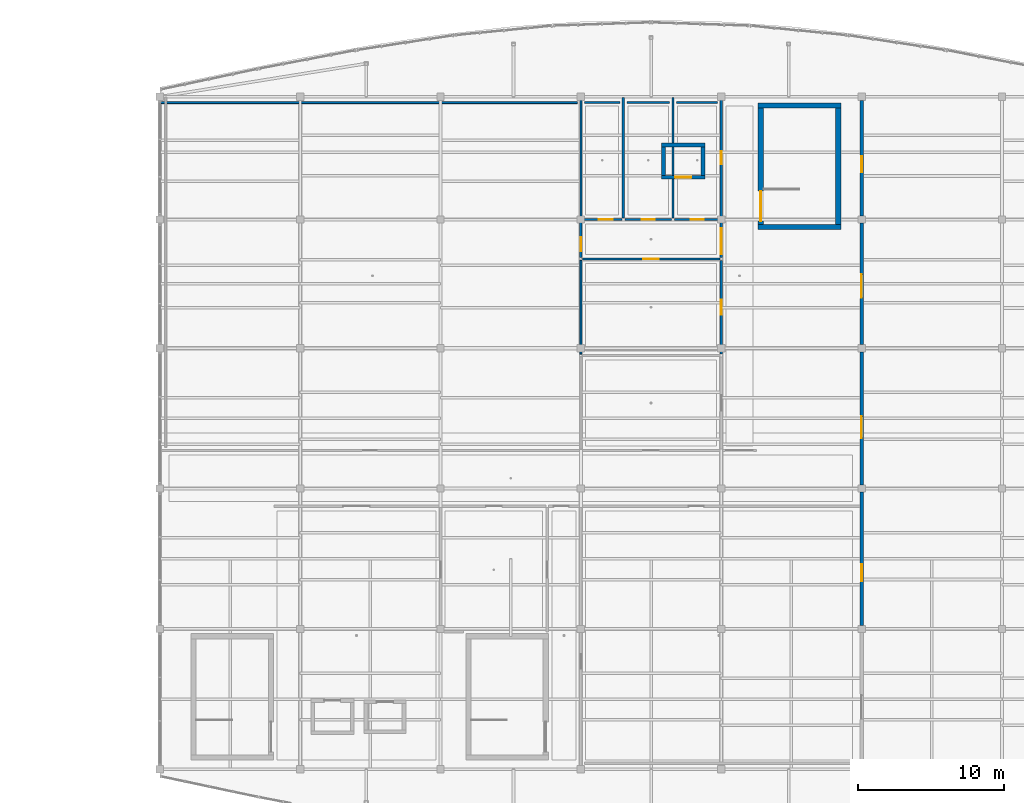
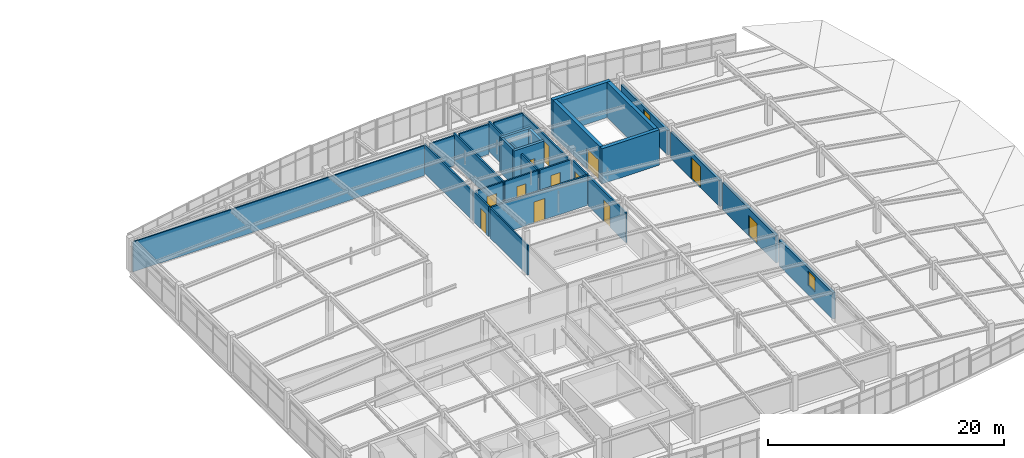
# One storey, part 61 of 65: 28 walls, 12 doors, 2 windows, 14 openings.
"""IFC4 building model written with IfcOpenShell, lengths in metres."""

from ifc_helpers import new_model, si_unit, direction, frame, frame_2d, origin, place, context, subcontext, project, spatial, rectangle, extrude, material, layer, layer_set, type_object, element, fill, save


model = new_model("IFC4")

# Units and contexts
model_context = context("Model", 3, precision=1e-05, world=origin(), true_north=direction((0.0, 1.0)))
body_context = subcontext(model_context, "Body", "Model", "MODEL_VIEW")
ifc_project = project(units=[si_unit("LENGTHUNIT", "METRE"), si_unit("AREAUNIT", "SQUARE_METRE"), si_unit("VOLUMEUNIT", "CUBIC_METRE"), si_unit("PLANEANGLEUNIT", "RADIAN"), si_unit("MASSUNIT", "GRAM", prefix="KILO")], contexts=[model_context])

# Site, building, storey
site_placement = place(None, origin())
site = spatial("IfcSite", under=ifc_project, at=site_placement, CompositionType="ELEMENT")
building_placement = place(site_placement, origin())
building = spatial("IfcBuilding", under=site, at=building_placement, Name="Chalmorin Arch Market", CompositionType="ELEMENT")
storey_placement = place(building_placement, frame((0.0, 0.0, 14.10009765625)))
storey = spatial("IfcBuildingStorey", under=building, at=storey_placement, Name="L03", CompositionType="ELEMENT", Elevation=14.10009765625)

# Walls
ifc_material_1 = material(Name="Concrete C40/50", Category="concrete")
ifc_layer_1 = layer(ifc_material_1, 0.35009765625)
ifc_layer_set_1 = layer_set([ifc_layer_1], Name="Concrete C40/50")
wall_type_1 = type_object("IfcWallType", Name="CoreShearWall-350", PredefinedType="SHEAR", material=ifc_layer_set_1)
for number, where, z_axis, x_axis, name in (
    (1, (94.574951171875, 109.10009765625, 0.0), (0.0, 0.0, 1.0), (-1.0, 0.0, 0.0), "CSW-350-101"),
    (2, (88.925048828125, 117.39990234375, 0.0), (0.0, 0.0, 1.0), (1.0, 0.0, 0.0), "CSW-350-102"),
):
    element("IfcWall", number, at=place(storey_placement, frame(where, z_axis=z_axis, x_axis=x_axis)), inside=storey, type_object=wall_type_1, Name=name, PredefinedType="SHEAR", context=body_context, shape_type="SweptSolid", body=[
        extrude(rectangle(XDim=5.64990234375, YDim=0.35009765625, at=frame_2d((2.824951171875, 0.0))), origin(), (0.0, 0.0, 1.0), 3.64990234375),
    ])

# Wall, opening, door
wall_1_placement = place(storey_placement, frame((89.10009765625, 109.27490234375, 0.0), z_axis=(0.0, 0.0, 1.0), x_axis=(0.0, 1.0, 0.0)))
wall_1 = element("IfcWall", 3, at=wall_1_placement, inside=storey, type_object=wall_type_1, Name="CSW-350-103", PredefinedType="SHEAR", context=body_context, shape_type="SweptSolid", body=[
    extrude(rectangle(XDim=7.9501953125, YDim=0.35009765625, at=frame_2d((3.97509765625, 0.0))), origin(), (0.0, 0.0, 1.0), 3.64990234375),
])
opening_1_placement = place(wall_1_placement, frame((0.219970703125, 0.0, 0.0)))
opening_1 = element("IfcOpeningElement", 4, at=opening_1_placement, cuts=wall_1, Name="Opening FD-SC6-L03", PredefinedType="OPENING", context=body_context, shape_type="SweptSolid", body=[
    extrude(rectangle(XDim=2.050048828125, YDim=2.14990234375, at=frame_2d((1.02490234375, 1.074951171875))), frame((0.0, 0.18505859375, 0.0), z_axis=(0.0, -1.0, 0.0), x_axis=(1.0, 0.0, 0.0)), (0.0, 0.0, 1.0), 0.3701171875),
])
ifc_material_2 = material(Name="Galvanised Steel", Category="steel")
door_type_1 = type_object("IfcDoorType", Name="DoubleFireExitDoor-2050x2150", OperationType="DOUBLE_DOOR_SINGLE_SWING", PredefinedType="DOOR", material=ifc_material_2)
door_1_placement = place(opening_1_placement, origin())
door_1 = element("IfcDoor", 5, at=door_1_placement, inside=storey, type_object=door_type_1, Name="FD-SC6-L03", OperationType="DOUBLE_DOOR_SINGLE_SWING", OverallHeight=2.14990234375, OverallWidth=2.050048828125, PredefinedType="DOOR", context=body_context, shape_type="SweptSolid", body=[
    extrude(rectangle(XDim=2.050048828125, YDim=2.14990234375, at=frame_2d((1.02490234375, 1.074951171875))), frame((0.0, 0.02490234375, 0.0), z_axis=(0.0, -1.0, 0.0), x_axis=(1.0, 0.0, 0.0)), (0.0, 0.0, 1.0), 0.050048828125),
])
fill(opening_1, door_1)

# Wall
wall_2_placement = place(storey_placement, frame((94.39990234375, 117.22509765625, 0.0), z_axis=(0.0, 0.0, 1.0), x_axis=(0.0, -1.0, 0.0)))
element("IfcWall", 6, at=wall_2_placement, inside=storey, type_object=wall_type_1, Name="CSW-350-104", PredefinedType="SHEAR", context=body_context, shape_type="SweptSolid", body=[
    extrude(rectangle(XDim=7.9501953125, YDim=0.35009765625, at=frame_2d((3.97509765625, 0.0))), origin(), (0.0, 0.0, 1.0), 3.64990234375),
])

# Wall, opening, door
ifc_material_3 = material(Name="Gypsum Board Partition")
ifc_layer_2 = layer(ifc_material_3, 0.159912109375)
ifc_layer_set_2 = layer_set([ifc_layer_2], Name="Gypsum Board Partition")
wall_type_2 = type_object("IfcWallType", Name="CorridorRatedPartition-160", PredefinedType="PARTITIONING", material=ifc_layer_set_2)
wall_3_placement = place(storey_placement, frame((86.39990234375, 100.39990234375, 0.0), z_axis=(0.0, 0.0, 1.0), x_axis=(0.0, 1.0, 0.0)))
wall_3 = element("IfcWall", 7, at=wall_3_placement, inside=storey, type_object=wall_type_2, Name="CRP-160-598", PredefinedType="PARTITIONING", context=body_context, shape_type="SweptSolid", body=[
    extrude(rectangle(XDim=6.400146484375, YDim=0.159912109375, at=frame_2d((3.2001953125, 0.0))), origin(), (0.0, 0.0, 1.0), 3.099853515625),
])
opening_2_placement = place(wall_3_placement, frame((2.679931640625, 0.0, 0.0)))
opening_2 = element("IfcOpeningElement", 8, at=opening_2_placement, cuts=wall_3, Name="Opening ID-206", PredefinedType="OPENING", context=body_context, shape_type="SweptSolid", body=[
    extrude(rectangle(XDim=1.0400390625, YDim=2.179931640625, at=frame_2d((0.52001953125, 1.08984375))), frame((0.0, 0.08984375, 0.0), z_axis=(0.0, -1.0, 0.0), x_axis=(1.0, 0.0, 0.0)), (0.0, 0.0, 1.0), 0.179931640625),
])
ifc_material_4 = material(Name="Oak Engineered Timber", Category="wood")
door_type_2 = type_object("IfcDoorType", Name="CommunityRoomDoor-1040x2180", OperationType="NOTDEFINED", PredefinedType="DOOR", material=ifc_material_4)
door_2_placement = place(opening_2_placement, origin())
door_2 = element("IfcDoor", 9, at=door_2_placement, inside=storey, type_object=door_type_2, Name="ID-206", OperationType="SINGLE_SWING_RIGHT", OverallHeight=2.179931640625, OverallWidth=1.0400390625, PredefinedType="DOOR", context=body_context, shape_type="SweptSolid", body=[
    extrude(rectangle(XDim=1.0400390625, YDim=2.179931640625, at=frame_2d((0.52001953125, 1.08984375))), frame((0.0, 0.02490234375, 0.0), z_axis=(0.0, -1.0, 0.0), x_axis=(1.0, 0.0, 0.0)), (0.0, 0.0, 1.0), 0.050048828125),
])
fill(opening_2, door_2)

wall_4_placement = place(storey_placement, frame((86.39990234375, 107.0, 0.0), z_axis=(0.0, 0.0, 1.0), x_axis=(0.0, 1.0, 0.0)))
wall_4 = element("IfcWall", 10, at=wall_4_placement, inside=storey, type_object=wall_type_2, Name="CRP-160-599", PredefinedType="PARTITIONING", context=body_context, shape_type="SweptSolid", body=[
    extrude(rectangle(XDim=2.5, YDim=0.159912109375, at=frame_2d((1.25, 0.0))), origin(), (0.0, 0.0, 1.0), 3.099853515625),
])
opening_3_placement = place(wall_4_placement, frame((0.219970703125, 0.0, 0.0)))
opening_3 = element("IfcOpeningElement", 11, at=opening_3_placement, cuts=wall_4, Name="Opening ID-207", PredefinedType="OPENING", context=body_context, shape_type="SweptSolid", body=[
    extrude(rectangle(XDim=1.800048828125, YDim=2.14990234375, at=frame_2d((0.89990234375, 1.074951171875))), frame((0.0, 0.08984375, 0.0), z_axis=(0.0, -1.0, 0.0), x_axis=(1.0, 0.0, 0.0)), (0.0, 0.0, 1.0), 0.179931640625),
])
door_type_3 = type_object("IfcDoorType", Name="CorridorFireDoubleDoor-1800x2150", OperationType="DOUBLE_DOOR_SINGLE_SWING", PredefinedType="DOOR", material=ifc_material_2)
door_3_placement = place(opening_3_placement, origin())
door_3 = element("IfcDoor", 12, at=door_3_placement, inside=storey, type_object=door_type_3, Name="ID-207", OperationType="DOUBLE_DOOR_SINGLE_SWING", OverallHeight=2.14990234375, OverallWidth=1.800048828125, PredefinedType="DOOR", context=body_context, shape_type="SweptSolid", body=[
    extrude(rectangle(XDim=1.800048828125, YDim=2.14990234375, at=frame_2d((0.89990234375, 1.074951171875))), frame((0.0, 0.02490234375, 0.0), z_axis=(0.0, -1.0, 0.0), x_axis=(1.0, 0.0, 0.0)), (0.0, 0.0, 1.0), 0.050048828125),
])
fill(opening_3, door_3)

wall_5_placement = place(storey_placement, frame((76.800048828125, 107.0, 0.0), z_axis=(0.0, 0.0, 1.0), x_axis=(0.0, 1.0, 0.0)))
wall_5 = element("IfcWall", 13, at=wall_5_placement, inside=storey, type_object=wall_type_2, Name="CRP-160-603", PredefinedType="PARTITIONING", context=body_context, shape_type="SweptSolid", body=[
    extrude(rectangle(XDim=2.5, YDim=0.159912109375, at=frame_2d((1.25, 0.0))), origin(), (0.0, 0.0, 1.0), 3.099853515625),
])
opening_4_placement = place(wall_5_placement, frame((0.443115234375, 0.0, 0.0)))
opening_4 = element("IfcOpeningElement", 14, at=opening_4_placement, cuts=wall_5, Name="Opening ID-210", PredefinedType="OPENING", context=body_context, shape_type="SweptSolid", body=[
    extrude(rectangle(XDim=0.949951171875, YDim=2.14990234375, at=frame_2d((0.47509765625, 1.074951171875))), frame((0.0, 0.08984375, 0.0), z_axis=(0.0, -1.0, 0.0), x_axis=(1.0, 0.0, 0.0)), (0.0, 0.0, 1.0), 0.179931640625),
])
door_type_4 = type_object("IfcDoorType", Name="OfficeTimberDoor-950x2150", OperationType="NOTDEFINED", PredefinedType="DOOR", material=ifc_material_4)
door_4_placement = place(opening_4_placement, origin())
door_4 = element("IfcDoor", 15, at=door_4_placement, inside=storey, type_object=door_type_4, Name="ID-210", OperationType="SINGLE_SWING_RIGHT", OverallHeight=2.14990234375, OverallWidth=0.949951171875, PredefinedType="DOOR", context=body_context, shape_type="SweptSolid", body=[
    extrude(rectangle(XDim=0.949951171875, YDim=2.14990234375, at=frame_2d((0.47509765625, 1.074951171875))), frame((0.0, 0.02490234375, 0.0), z_axis=(0.0, -1.0, 0.0), x_axis=(1.0, 0.0, 0.0)), (0.0, 0.0, 1.0), 0.050048828125),
])
fill(opening_4, door_4)

wall_6_placement = place(storey_placement, frame((76.89990234375, 106.89990234375, 0.0), z_axis=(0.0, 0.0, 1.0), x_axis=(1.0, 0.0, 0.0)))
wall_6 = element("IfcWall", 16, at=wall_6_placement, inside=storey, type_object=wall_type_2, Name="CRP-160-606", PredefinedType="PARTITIONING", context=body_context, shape_type="SweptSolid", body=[
    extrude(rectangle(XDim=9.400146484375, YDim=0.159912109375, at=frame_2d((4.7001953125, 0.0))), origin(), (0.0, 0.0, 1.0), 3.099853515625),
])
opening_5_placement = place(wall_6_placement, frame((4.179931640625, 0.0, 0.0)))
opening_5 = element("IfcOpeningElement", 17, at=opening_5_placement, cuts=wall_6, Name="Opening ID-211", PredefinedType="OPENING", context=body_context, shape_type="SweptSolid", body=[
    extrude(rectangle(XDim=1.0400390625, YDim=2.179931640625, at=frame_2d((0.52001953125, 1.08984375))), frame((0.0, 0.08984375, 0.0), z_axis=(0.0, -1.0, 0.0), x_axis=(1.0, 0.0, 0.0)), (0.0, 0.0, 1.0), 0.179931640625),
])
door_5_placement = place(opening_5_placement, origin())
door_5 = element("IfcDoor", 18, at=door_5_placement, inside=storey, type_object=door_type_2, Name="ID-211", OperationType="SINGLE_SWING_LEFT", OverallHeight=2.179931640625, OverallWidth=1.0400390625, PredefinedType="DOOR", context=body_context, shape_type="SweptSolid", body=[
    extrude(rectangle(XDim=1.0400390625, YDim=2.179931640625, at=frame_2d((0.52001953125, 1.08984375))), frame((0.0, 0.02490234375, 0.0), z_axis=(0.0, -1.0, 0.0), x_axis=(1.0, 0.0, 0.0)), (0.0, 0.0, 1.0), 0.050048828125),
])
fill(opening_5, door_5)

# Walls
ifc_material_5 = material(Name="Powder-coated Aluminium Panel", Category="aluminium")
ifc_layer_3 = layer(ifc_material_5, 0.125)
ifc_layer_set_3 = layer_set([ifc_layer_3], Name="Powder-coated Aluminium Panel")
wall_type_3 = type_object("IfcWallType", Name="DemountableStudStallPartition-125", PredefinedType="PARTITIONING", material=ifc_layer_set_3)
wall_7_placement = place(storey_placement, frame((76.800048828125, 100.39990234375, 0.0), z_axis=(0.0, 0.0, 1.0), x_axis=(0.0, 1.0, 0.0)))
element("IfcWall", 19, at=wall_7_placement, inside=storey, type_object=wall_type_3, Name="DSP-125-602", PredefinedType="PARTITIONING", context=body_context, shape_type="SweptSolid", body=[
    extrude(rectangle(XDim=6.400146484375, YDim=0.125, at=frame_2d((3.2001953125, 0.0))), origin(), (0.0, 0.0, 1.0), 3.099853515625),
])
wall_8_placement = place(storey_placement, frame((48.050048828125, 117.60009765625, 0.0), z_axis=(0.0, 0.0, 1.0), x_axis=(1.0, 0.0, 0.0)))
element("IfcWall", 20, at=wall_8_placement, inside=storey, type_object=wall_type_3, Name="DSP-125-615", PredefinedType="PARTITIONING", context=body_context, shape_type="SweptSolid", body=[
    extrude(rectangle(XDim=28.510009765625, YDim=0.125, at=frame_2d((14.2548828125, 0.0))), origin(), (0.0, 0.0, 1.0), 3.099853515625),
])

# Wall, opening, window
ifc_material_6 = material(Name="Concrete C30/37", Category="concrete")
ifc_layer_4 = layer(ifc_material_6, 0.25)
ifc_layer_set_4 = layer_set([ifc_layer_4], Name="Concrete C30/37")
wall_type_4 = type_object("IfcWallType", Name="InsulatedMasonryBackupWall-250", PredefinedType="STANDARD", material=ifc_layer_set_4)
wall_9_placement = place(storey_placement, frame((96.0, 81.85009765625, 0.0), z_axis=(0.0, 0.0, 1.0), x_axis=(0.0, 1.0, 0.0)))
wall_9 = element("IfcWall", 21, at=wall_9_placement, inside=storey, type_object=wall_type_4, Name="EBW-250-197", PredefinedType="STANDARD", context=body_context, shape_type="SweptSolid", body=[
    extrude(rectangle(XDim=9.099853515625, YDim=0.25, at=frame_2d((4.5498046875, 0.0))), origin(), (0.0, 0.0, 1.0), 2.73291015625),
])
opening_6_placement = place(wall_9_placement, frame((3.0, 0.0, 1.0)))
opening_6 = element("IfcOpeningElement", 22, at=opening_6_placement, cuts=wall_9, Name="Opening WN-117", PredefinedType="OPENING", context=body_context, shape_type="SweptSolid", body=[
    extrude(rectangle(XDim=1.159912109375, YDim=1.469970703125, at=frame_2d((0.580078125, 0.73486328125))), frame((0.0, 0.135009765625, 0.0), z_axis=(0.0, -1.0, 0.0), x_axis=(1.0, 0.0, 0.0)), (0.0, 0.0, 1.0), 0.27001953125),
])
ifc_material_7 = material(Name="Low-E Tempered Glass", Category="glass")
window_type_1 = type_object("IfcWindowType", Name="OfficeCasementWindow-1200x1500-1160x1470", PartitioningType="SINGLE_PANEL", PredefinedType="WINDOW", material=ifc_material_7)
window_1_placement = place(opening_6_placement, origin())
window_1 = element("IfcWindow", 23, at=window_1_placement, inside=storey, type_object=window_type_1, Name="WN-117", OverallHeight=1.469970703125, OverallWidth=1.159912109375, PartitioningType="SINGLE_PANEL", PredefinedType="WINDOW", context=body_context, shape_type="SweptSolid", body=[
    extrude(rectangle(XDim=1.159912109375, YDim=1.469970703125, at=frame_2d((0.580078125, 0.73486328125))), frame((0.0, 0.030029296875, 0.0), z_axis=(0.0, -1.0, 0.0), x_axis=(1.0, 0.0, 0.0)), (0.0, 0.0, 1.0), 0.06005859375),
])
fill(opening_6, window_1)

# Wall, opening, door
wall_10_placement = place(storey_placement, frame((96.0, 91.449951171875, 0.0), z_axis=(0.0, 0.0, 1.0), x_axis=(0.0, 1.0, 0.0)))
wall_10 = element("IfcWall", 24, at=wall_10_placement, inside=storey, type_object=wall_type_4, Name="EBW-250-201", PredefinedType="STANDARD", context=body_context, shape_type="SweptSolid", body=[
    extrude(rectangle(XDim=9.10009765625, YDim=0.25, at=frame_2d((4.550048828125, 0.0))), origin(), (0.0, 0.0, 1.0), 2.831787109375),
])
opening_7_placement = place(wall_10_placement, frame((3.199951171875, 0.0, 0.0)))
opening_7 = element("IfcOpeningElement", 25, at=opening_7_placement, cuts=wall_10, Name="Opening ED-051", PredefinedType="OPENING", context=body_context, shape_type="SweptSolid", body=[
    extrude(rectangle(XDim=1.47998046875, YDim=2.110107421875, at=frame_2d((0.739990234375, 1.05517578125))), frame((0.0, 0.135009765625, 0.0), z_axis=(0.0, -1.0, 0.0), x_axis=(1.0, 0.0, 0.0)), (0.0, 0.0, 1.0), 0.27001953125),
])
ifc_material_8 = material(Name="Aluminium 6063-T6", Category="aluminium")
door_type_5 = type_object("IfcDoorType", Name="TerraceGlazedDoubleDoor-1600x2200-1480x2110", OperationType="DOUBLE_DOOR_SINGLE_SWING", PredefinedType="DOOR", material=ifc_material_8)
door_6_placement = place(opening_7_placement, origin())
door_6 = element("IfcDoor", 26, at=door_6_placement, inside=storey, type_object=door_type_5, Name="ED-051", OperationType="DOUBLE_DOOR_SINGLE_SWING", OverallHeight=2.110107421875, OverallWidth=1.47998046875, PredefinedType="DOOR", context=body_context, shape_type="SweptSolid", body=[
    extrude(rectangle(XDim=1.47998046875, YDim=2.110107421875, at=frame_2d((0.739990234375, 1.05517578125))), frame((0.0, 0.02490234375, 0.0), z_axis=(0.0, -1.0, 0.0), x_axis=(1.0, 0.0, 0.0)), (0.0, 0.0, 1.0), 0.050048828125),
])
fill(opening_7, door_6)

wall_11_placement = place(storey_placement, frame((96.0, 101.050048828125, 0.0), z_axis=(0.0, 0.0, 1.0), x_axis=(0.0, 1.0, 0.0)))
wall_11 = element("IfcWall", 27, at=wall_11_placement, inside=storey, type_object=wall_type_4, Name="EBW-250-204", PredefinedType="STANDARD", context=body_context, shape_type="SweptSolid", body=[
    extrude(rectangle(XDim=8.300048828125, YDim=0.25, at=frame_2d((4.14990234375, 0.0))), origin(), (0.0, 0.0, 1.0), 2.7109375),
])
opening_8_placement = place(wall_11_placement, frame((3.199951171875, 0.0, 0.0)))
opening_8 = element("IfcOpeningElement", 28, at=opening_8_placement, cuts=wall_11, Name="Opening ED-052", PredefinedType="OPENING", context=body_context, shape_type="SweptSolid", body=[
    extrude(rectangle(XDim=1.60009765625, YDim=2.199951171875, at=frame_2d((0.800048828125, 1.10009765625))), frame((0.0, 0.135009765625, 0.0), z_axis=(0.0, -1.0, 0.0), x_axis=(1.0, 0.0, 0.0)), (0.0, 0.0, 1.0), 0.27001953125),
])
door_type_6 = type_object("IfcDoorType", Name="TerraceGlazedDoubleDoor-1600x2200", OperationType="DOUBLE_DOOR_SINGLE_SWING", PredefinedType="DOOR", material=ifc_material_8)
door_7_placement = place(opening_8_placement, origin())
door_7 = element("IfcDoor", 29, at=door_7_placement, inside=storey, type_object=door_type_6, Name="ED-052", OperationType="DOUBLE_DOOR_SINGLE_SWING", OverallHeight=2.199951171875, OverallWidth=1.60009765625, PredefinedType="DOOR", context=body_context, shape_type="SweptSolid", body=[
    extrude(rectangle(XDim=1.60009765625, YDim=2.199951171875, at=frame_2d((0.800048828125, 1.10009765625))), frame((0.0, 0.02490234375, 0.0), z_axis=(0.0, -1.0, 0.0), x_axis=(1.0, 0.0, 0.0)), (0.0, 0.0, 1.0), 0.050048828125),
])
fill(opening_8, door_7)

# Wall, opening, window
wall_12_placement = place(storey_placement, frame((96.0, 109.85009765625, 0.0), z_axis=(0.0, 0.0, 1.0), x_axis=(0.0, 1.0, 0.0)))
wall_12 = element("IfcWall", 30, at=wall_12_placement, inside=storey, type_object=wall_type_4, Name="EBW-250-207", PredefinedType="STANDARD", context=body_context, shape_type="SweptSolid", body=[
    extrude(rectangle(XDim=7.89990234375, YDim=0.25, at=frame_2d((3.949951171875, 0.0))), origin(), (0.0, 0.0, 1.0), 2.52587890625),
])
opening_9_placement = place(wall_12_placement, frame((3.0, 0.0, 0.885986328125)))
opening_9 = element("IfcOpeningElement", 31, at=opening_9_placement, cuts=wall_12, Name="Opening WN-123", PredefinedType="OPENING", context=body_context, shape_type="SweptSolid", body=[
    extrude(rectangle(XDim=1.080078125, YDim=1.409912109375, at=frame_2d((0.5400390625, 0.705078125))), frame((0.0, 0.135009765625, 0.0), z_axis=(0.0, -1.0, 0.0), x_axis=(1.0, 0.0, 0.0)), (0.0, 0.0, 1.0), 0.27001953125),
])
window_type_2 = type_object("IfcWindowType", Name="OfficeCasementWindow-1200x1500-1080x1410", PartitioningType="SINGLE_PANEL", PredefinedType="WINDOW", material=ifc_material_7)
window_2_placement = place(opening_9_placement, origin())
window_2 = element("IfcWindow", 32, at=window_2_placement, inside=storey, type_object=window_type_2, Name="WN-123", OverallHeight=1.409912109375, OverallWidth=1.080078125, PartitioningType="SINGLE_PANEL", PredefinedType="WINDOW", context=body_context, shape_type="SweptSolid", body=[
    extrude(rectangle(XDim=1.080078125, YDim=1.409912109375, at=frame_2d((0.5400390625, 0.705078125))), frame((0.0, 0.030029296875, 0.0), z_axis=(0.0, -1.0, 0.0), x_axis=(1.0, 0.0, 0.0)), (0.0, 0.0, 1.0), 0.06005859375),
])
fill(opening_9, window_2)

# Wall, opening, door
ifc_material_9 = material(Name="Concrete C35/45", Category="concrete")
ifc_layer_5 = layer(ifc_material_9, 0.25)
ifc_layer_set_5 = layer_set([ifc_layer_5], Name="Concrete C35/45")
wall_type_5 = type_object("IfcWallType", Name="ShaftEnclosureWall-250", PredefinedType="SOLIDWALL", material=ifc_layer_set_5)
wall_13_placement = place(storey_placement, frame((85.27490234375, 112.5, 0.0), z_axis=(0.0, 0.0, 1.0), x_axis=(-1.0, 0.0, 0.0)))
wall_13 = element("IfcWall", 33, at=wall_13_placement, inside=storey, type_object=wall_type_5, Name="SEW-250-210", PredefinedType="SOLIDWALL", context=body_context, shape_type="SweptSolid", body=[
    extrude(rectangle(XDim=2.949951171875, YDim=0.25, at=frame_2d((1.47509765625, 0.0))), origin(), (0.0, 0.0, 1.0), 3.64990234375),
])
opening_10_placement = place(wall_13_placement, frame((0.925048828125, 0.0, 0.0)))
opening_10 = element("IfcOpeningElement", 34, at=opening_10_placement, cuts=wall_13, Name="Opening LD-LF-FF2-L03", PredefinedType="OPENING", context=body_context, shape_type="SweptSolid", body=[
    extrude(rectangle(XDim=1.10009765625, YDim=2.14990234375, at=frame_2d((0.550048828125, 1.074951171875))), frame((0.0, 0.135009765625, 0.0), z_axis=(0.0, -1.0, 0.0), x_axis=(1.0, 0.0, 0.0)), (0.0, 0.0, 1.0), 0.27001953125),
])
ifc_material_10 = material(Name="Stainless Steel 316", Category="steel")
door_type_7 = type_object("IfcDoorType", Name="LiftLandingSlidingDoor-1100x2150", OperationType="DOUBLE_DOOR_SLIDING", PredefinedType="DOOR", material=ifc_material_10)
door_8_placement = place(opening_10_placement, origin())
door_8 = element("IfcDoor", 35, at=door_8_placement, inside=storey, type_object=door_type_7, Name="LD-LF-FF2-L03", OperationType="DOUBLE_DOOR_SLIDING", OverallHeight=2.14990234375, OverallWidth=1.10009765625, PredefinedType="DOOR", context=body_context, shape_type="SweptSolid", body=[
    extrude(rectangle(XDim=1.10009765625, YDim=2.14990234375, at=frame_2d((0.550048828125, 1.074951171875))), frame((0.0, 0.02490234375, 0.0), z_axis=(0.0, -1.0, 0.0), x_axis=(1.0, 0.0, 0.0)), (0.0, 0.0, 1.0), 0.050048828125),
])
fill(opening_10, door_8)

# Walls
wall_14_placement = place(storey_placement, frame((82.324951171875, 114.699951171875, 0.0), z_axis=(0.0, 0.0, 1.0), x_axis=(1.0, 0.0, 0.0)))
element("IfcWall", 36, at=wall_14_placement, inside=storey, type_object=wall_type_5, Name="SEW-250-211", PredefinedType="SOLIDWALL", context=body_context, shape_type="SweptSolid", body=[
    extrude(rectangle(XDim=2.949951171875, YDim=0.25, at=frame_2d((1.47509765625, 0.0))), origin(), (0.0, 0.0, 1.0), 3.64990234375),
])
for number, where, z_axis, x_axis, name in (
    (37, (82.449951171875, 112.625, 0.0), (0.0, 0.0, 1.0), (0.0, 1.0, 0.0), "SEW-250-212"),
    (38, (85.14990234375, 114.574951171875, 0.0), (0.0, 0.0, 1.0), (0.0, -1.0, 0.0), "SEW-250-213"),
):
    element("IfcWall", number, at=place(storey_placement, frame(where, z_axis=z_axis, x_axis=x_axis)), inside=storey, type_object=wall_type_5, Name=name, PredefinedType="SOLIDWALL", context=body_context, shape_type="SweptSolid", body=[
        extrude(rectangle(XDim=1.949951171875, YDim=0.25, at=frame_2d((0.97509765625, 0.0))), origin(), (0.0, 0.0, 1.0), 3.64990234375),
    ])

# Wall, opening, door
ifc_layer_6 = layer(ifc_material_6, 0.14990234375)
ifc_layer_set_6 = layer_set([ifc_layer_6], Name="Concrete C30/37")
wall_type_6 = type_object("IfcWallType", Name="WetAreaTilePartition-150", PredefinedType="PARTITIONING", material=ifc_layer_set_6)
wall_15_placement = place(storey_placement, frame((86.39990234375, 109.699951171875, 0.0), z_axis=(0.0, 0.0, 1.0), x_axis=(0.0, 1.0, 0.0)))
wall_15 = element("IfcWall", 39, at=wall_15_placement, inside=storey, type_object=wall_type_6, Name="WTP-150-600", PredefinedType="PARTITIONING", context=body_context, shape_type="SweptSolid", body=[
    extrude(rectangle(XDim=8.25, YDim=0.14990234375, at=frame_2d((4.125, 0.0))), origin(), (0.0, 0.0, 1.0), 2.81591796875),
])
opening_11_placement = place(wall_15_placement, frame((3.675048828125, 0.0, 0.0)))
opening_11 = element("IfcOpeningElement", 40, at=opening_11_placement, cuts=wall_15, Name="Opening ID-208", PredefinedType="OPENING", context=body_context, shape_type="SweptSolid", body=[
    extrude(rectangle(XDim=0.89990234375, YDim=2.14990234375, at=frame_2d((0.449951171875, 1.074951171875))), frame((0.0, 0.0849609375, 0.0), z_axis=(0.0, -1.0, 0.0), x_axis=(1.0, 0.0, 0.0)), (0.0, 0.0, 1.0), 0.169921875),
])
door_type_8 = type_object("IfcDoorType", Name="RestroomEntryDoor-900x2150", OperationType="NOTDEFINED", PredefinedType="DOOR", material=ifc_material_4)
door_9_placement = place(opening_11_placement, origin())
door_9 = element("IfcDoor", 41, at=door_9_placement, inside=storey, type_object=door_type_8, Name="ID-208", OperationType="SINGLE_SWING_RIGHT", OverallHeight=2.14990234375, OverallWidth=0.89990234375, PredefinedType="DOOR", context=body_context, shape_type="SweptSolid", body=[
    extrude(rectangle(XDim=0.89990234375, YDim=2.14990234375, at=frame_2d((0.449951171875, 1.074951171875))), frame((0.0, 0.02490234375, 0.0), z_axis=(0.0, -1.0, 0.0), x_axis=(1.0, 0.0, 0.0)), (0.0, 0.0, 1.0), 0.050048828125),
])
fill(opening_11, door_9)

# Wall
wall_16_placement = place(storey_placement, frame((76.800048828125, 109.699951171875, 0.0), z_axis=(0.0, 0.0, 1.0), x_axis=(0.0, 1.0, 0.0)))
element("IfcWall", 42, at=wall_16_placement, inside=storey, type_object=wall_type_6, Name="WTP-150-604", PredefinedType="PARTITIONING", context=body_context, shape_type="SweptSolid", body=[
    extrude(rectangle(XDim=8.25, YDim=0.14990234375, at=frame_2d((4.125, 0.0))), origin(), (0.0, 0.0, 1.0), 2.991943359375),
])

# Wall, opening, door
wall_17_placement = place(storey_placement, frame((76.89990234375, 109.60009765625, 0.0), z_axis=(0.0, 0.0, 1.0), x_axis=(1.0, 0.0, 0.0)))
wall_17 = element("IfcWall", 43, at=wall_17_placement, inside=storey, type_object=wall_type_6, Name="WTP-150-608", PredefinedType="PARTITIONING", context=body_context, shape_type="SweptSolid", body=[
    extrude(rectangle(XDim=2.7001953125, YDim=0.14990234375, at=frame_2d((1.35009765625, 0.0))), origin(), (0.0, 0.0, 1.0), 3.099853515625),
])
opening_12_placement = place(wall_17_placement, frame((1.132080078125, 0.0, 0.0)))
opening_12 = element("IfcOpeningElement", 44, at=opening_12_placement, cuts=wall_17, Name="Opening ID-212", PredefinedType="OPENING", context=body_context, shape_type="SweptSolid", body=[
    extrude(rectangle(XDim=0.949951171875, YDim=2.14990234375, at=frame_2d((0.47509765625, 1.074951171875))), frame((0.0, 0.0849609375, 0.0), z_axis=(0.0, -1.0, 0.0), x_axis=(1.0, 0.0, 0.0)), (0.0, 0.0, 1.0), 0.169921875),
])
door_type_9 = type_object("IfcDoorType", Name="AccessibleWCDoor-950x2150", OperationType="NOTDEFINED", PredefinedType="DOOR", material=ifc_material_4)
door_10_placement = place(opening_12_placement, origin())
door_10 = element("IfcDoor", 45, at=door_10_placement, inside=storey, type_object=door_type_9, Name="ID-212", OperationType="SINGLE_SWING_RIGHT", OverallHeight=2.14990234375, OverallWidth=0.949951171875, PredefinedType="DOOR", context=body_context, shape_type="SweptSolid", body=[
    extrude(rectangle(XDim=0.949951171875, YDim=2.14990234375, at=frame_2d((0.47509765625, 1.074951171875))), frame((0.0, 0.02490234375, 0.0), z_axis=(0.0, -1.0, 0.0), x_axis=(1.0, 0.0, 0.0)), (0.0, 0.0, 1.0), 0.050048828125),
])
fill(opening_12, door_10)

wall_18_placement = place(storey_placement, frame((79.800048828125, 109.60009765625, 0.0), z_axis=(0.0, 0.0, 1.0), x_axis=(1.0, 0.0, 0.0)))
wall_18 = element("IfcWall", 46, at=wall_18_placement, inside=storey, type_object=wall_type_6, Name="WTP-150-609", PredefinedType="PARTITIONING", context=body_context, shape_type="SweptSolid", body=[
    extrude(rectangle(XDim=3.199951171875, YDim=0.14990234375, at=frame_2d((1.60009765625, 0.0))), origin(), (0.0, 0.0, 1.0), 3.099853515625),
])
opening_13_placement = place(wall_18_placement, frame((1.14990234375, 0.0, 0.0)))
opening_13 = element("IfcOpeningElement", 47, at=opening_13_placement, cuts=wall_18, Name="Opening ID-213", PredefinedType="OPENING", context=body_context, shape_type="SweptSolid", body=[
    extrude(rectangle(XDim=0.89990234375, YDim=2.14990234375, at=frame_2d((0.449951171875, 1.074951171875))), frame((0.0, 0.0849609375, 0.0), z_axis=(0.0, -1.0, 0.0), x_axis=(1.0, 0.0, 0.0)), (0.0, 0.0, 1.0), 0.169921875),
])
door_11_placement = place(opening_13_placement, origin())
door_11 = element("IfcDoor", 48, at=door_11_placement, inside=storey, type_object=door_type_8, Name="ID-213", OperationType="SINGLE_SWING_LEFT", OverallHeight=2.14990234375, OverallWidth=0.89990234375, PredefinedType="DOOR", context=body_context, shape_type="SweptSolid", body=[
    extrude(rectangle(XDim=0.89990234375, YDim=2.14990234375, at=frame_2d((0.449951171875, 1.074951171875))), frame((0.0, 0.02490234375, 0.0), z_axis=(0.0, -1.0, 0.0), x_axis=(1.0, 0.0, 0.0)), (0.0, 0.0, 1.0), 0.050048828125),
])
fill(opening_13, door_11)

wall_19_placement = place(storey_placement, frame((83.199951171875, 109.60009765625, 0.0), z_axis=(0.0, 0.0, 1.0), x_axis=(1.0, 0.0, 0.0)))
wall_19 = element("IfcWall", 49, at=wall_19_placement, inside=storey, type_object=wall_type_6, Name="WTP-150-610", PredefinedType="PARTITIONING", context=body_context, shape_type="SweptSolid", body=[
    extrude(rectangle(XDim=3.10009765625, YDim=0.14990234375, at=frame_2d((1.550048828125, 0.0))), origin(), (0.0, 0.0, 1.0), 3.099853515625),
])
opening_14_placement = place(wall_19_placement, frame((1.10009765625, 0.0, 0.0)))
opening_14 = element("IfcOpeningElement", 50, at=opening_14_placement, cuts=wall_19, Name="Opening ID-214", PredefinedType="OPENING", context=body_context, shape_type="SweptSolid", body=[
    extrude(rectangle(XDim=0.89990234375, YDim=2.14990234375, at=frame_2d((0.449951171875, 1.074951171875))), frame((0.0, 0.0849609375, 0.0), z_axis=(0.0, -1.0, 0.0), x_axis=(1.0, 0.0, 0.0)), (0.0, 0.0, 1.0), 0.169921875),
])
door_12_placement = place(opening_14_placement, origin())
door_12 = element("IfcDoor", 51, at=door_12_placement, inside=storey, type_object=door_type_8, Name="ID-214", OperationType="SINGLE_SWING_RIGHT", OverallHeight=2.14990234375, OverallWidth=0.89990234375, PredefinedType="DOOR", context=body_context, shape_type="SweptSolid", body=[
    extrude(rectangle(XDim=0.89990234375, YDim=2.14990234375, at=frame_2d((0.449951171875, 1.074951171875))), frame((0.0, 0.02490234375, 0.0), z_axis=(0.0, -1.0, 0.0), x_axis=(1.0, 0.0, 0.0)), (0.0, 0.0, 1.0), 0.050048828125),
])
fill(opening_14, door_12)

# Walls
for number, where, z_axis, x_axis, name in (
    (52, (79.699951171875, 109.699951171875, 0.0), (0.0, 0.0, 1.0), (0.0, 1.0, 0.0), "WTP-150-611"),
    (53, (83.10009765625, 109.699951171875, 0.0), (0.0, 0.0, 1.0), (0.0, 1.0, 0.0), "WTP-150-612"),
):
    element("IfcWall", number, at=place(storey_placement, frame(where, z_axis=z_axis, x_axis=x_axis)), inside=storey, type_object=wall_type_6, Name=name, PredefinedType="PARTITIONING", context=body_context, shape_type="SweptSolid", body=[
        extrude(rectangle(XDim=8.25, YDim=0.14990234375, at=frame_2d((4.125, 0.0))), origin(), (0.0, 0.0, 1.0), 3.099853515625),
    ])
wall_20_placement = place(storey_placement, frame((77.0400390625, 117.60009765625, 0.0), z_axis=(0.0, 0.0, 1.0), x_axis=(1.0, 0.0, 0.0)))
element("IfcWall", 54, at=wall_20_placement, inside=storey, type_object=wall_type_6, Name="WTP-150-617", PredefinedType="PARTITIONING", context=body_context, shape_type="SweptSolid", body=[
    extrude(rectangle(XDim=2.419921875, YDim=0.14990234375, at=frame_2d((1.2099609375, 0.0))), origin(), (0.0, 0.0, 1.0), 3.099853515625),
])
wall_21_placement = place(storey_placement, frame((79.93994140625, 117.60009765625, 0.0), z_axis=(0.0, 0.0, 1.0), x_axis=(1.0, 0.0, 0.0)))
element("IfcWall", 55, at=wall_21_placement, inside=storey, type_object=wall_type_6, Name="WTP-150-618", PredefinedType="PARTITIONING", context=body_context, shape_type="SweptSolid", body=[
    extrude(rectangle(XDim=2.920166015625, YDim=0.14990234375, at=frame_2d((1.4599609375, 0.0))), origin(), (0.0, 0.0, 1.0), 3.099853515625),
])
wall_22_placement = place(storey_placement, frame((83.340087890625, 117.60009765625, 0.0), z_axis=(0.0, 0.0, 1.0), x_axis=(1.0, 0.0, 0.0)))
element("IfcWall", 56, at=wall_22_placement, inside=storey, type_object=wall_type_6, Name="WTP-150-619", PredefinedType="PARTITIONING", context=body_context, shape_type="SweptSolid", body=[
    extrude(rectangle(XDim=2.81982421875, YDim=0.14990234375, at=frame_2d((1.409912109375, 0.0))), origin(), (0.0, 0.0, 1.0), 3.099853515625),
])

save(model, "model.ifc")
